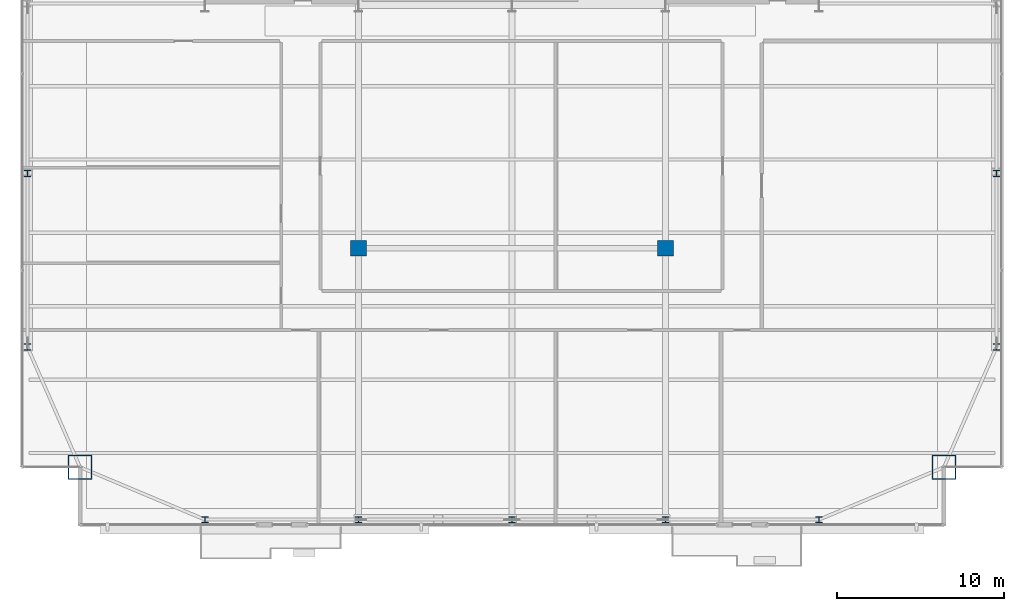
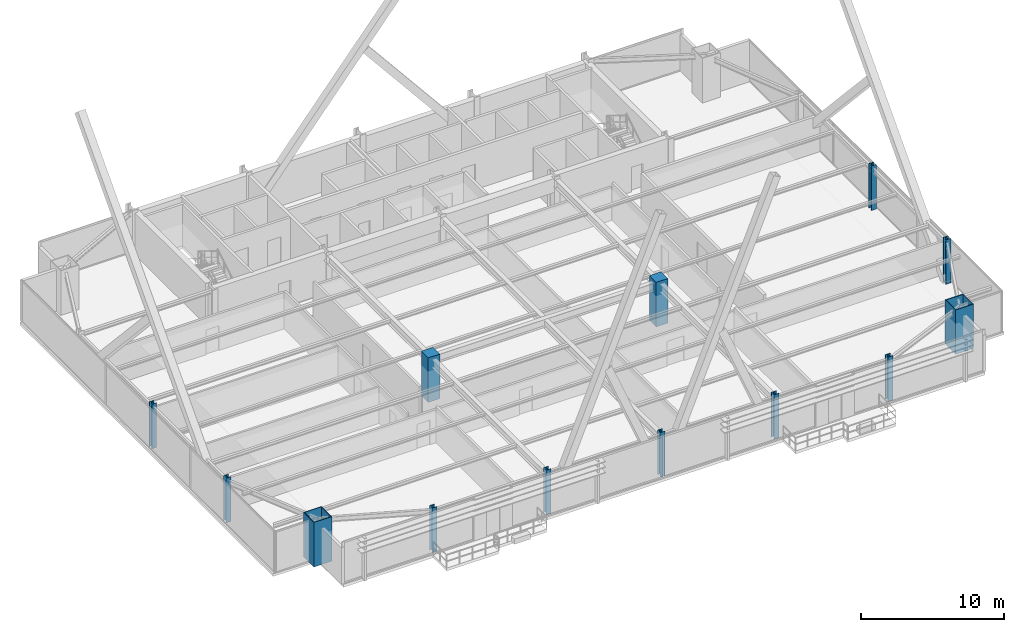
# One storey, part 1 of 38: 13 columns.
"""IFC4 building model written with IfcOpenShell, lengths in metres."""

from ifc_helpers import new_model, si_unit, direction, frame, origin, origin_2d, place, context, subcontext, project, spatial, rectangle, hollow_rectangle, i_section, extrude, source, transform, mapped, material, material_profile, profile_set, type_object, type_shapes, element, save


model = new_model("IFC4")

# Units and contexts
model_context = context("Model", 3, precision=1e-05, world=origin(), true_north=direction((0.0, 1.0)))
body_context = subcontext(model_context, "Body", "Model", "MODEL_VIEW")
ifc_project = project(units=[si_unit("LENGTHUNIT", "METRE"), si_unit("AREAUNIT", "SQUARE_METRE"), si_unit("VOLUMEUNIT", "CUBIC_METRE"), si_unit("PLANEANGLEUNIT", "RADIAN"), si_unit("MASSUNIT", "GRAM", prefix="KILO")], contexts=[model_context])

# Site, building, storey
site_placement = place(None, origin())
site = spatial("IfcSite", under=ifc_project, at=site_placement, CompositionType="ELEMENT")
building_placement = place(site_placement, origin())
building = spatial("IfcBuilding", under=site, at=building_placement, Name="Varnel Quay Broadcast Tower", CompositionType="ELEMENT")
storey_placement = place(building_placement, frame((0.0, 0.0, 118.199951171875)))
storey = spatial("IfcBuildingStorey", under=building, at=storey_placement, Name="L28", CompositionType="ELEMENT", Elevation=118.199951171875)

# Columns
ifc_material_1 = material(Name="Structural Steel CSA G40.21 350WT", Category="steel")
ifc_material_profile_1 = material_profile(ifc_material_1, hollow_rectangle(XDim=1.449951171875, YDim=1.449951171875, WallThickness=0.054931640625, at=origin_2d()), Name="BOX1450X1450X55")
ifc_profile_set_1 = profile_set([ifc_material_profile_1], Name="Structural Steel CSA G40.21 350WT")
column_type_1 = type_object("IfcColumnType", Name="Col_BOX1450X1450X55", PredefinedType="COLUMN", material=ifc_profile_set_1)
shared_shape_1 = source(origin(), body_context, "Body", "SweptSolid", [
    extrude(hollow_rectangle(XDim=1.449951171875, YDim=1.449951171875, WallThickness=0.054931640625, at=origin_2d()), origin(), (0.0, 0.0, 1.0), 3.800048828125),
])
type_shapes(column_type_1, [shared_shape_1])
for number, where, z_axis, x_axis, name in (
    (1, (8.10009765625, 7.800048828125, 0.0), (0.0, 0.0, 1.0), (1.0, 0.0, 0.0), "L28 Column MC-SW"),
    (2, (59.89990234375, 7.800048828125, 0.0), (0.0, 0.0, 1.0), (1.0, 0.0, 0.0), "L28 Column MC-SE"),
):
    element("IfcColumn", number, at=place(storey_placement, frame(where, z_axis=z_axis, x_axis=x_axis)), inside=storey, type_object=column_type_1, Name=name, PredefinedType="COLUMN", context=body_context, shape_type="MappedRepresentation", body=[
        mapped(shared_shape_1, transform((0.0, 0.0, 0.0), x_axis=(1.0, 0.0, 0.0), y_axis=(0.0, 1.0, 0.0), z_axis=(0.0, 0.0, 1.0), scale=1.0)),
    ])
ifc_material_2 = material(Name="Structural Steel CSA G40.21 350W", Category="steel")
ifc_material_profile_2 = material_profile(ifc_material_2, i_section(OverallWidth=0.39794921875, OverallDepth=0.386962890625, WebThickness=0.02099609375, FlangeThickness=0.033203125, FilletRadius=0.01806640625, at=origin_2d()), Name="W360X262")
ifc_profile_set_2 = profile_set([ifc_material_profile_2], Name="Structural Steel CSA G40.21 350W")
column_type_2 = type_object("IfcColumnType", Name="Col_W360X262", PredefinedType="COLUMN", material=ifc_profile_set_2)
shared_shape_2 = source(origin(), body_context, "Body", "SweptSolid", [
    extrude(i_section(OverallWidth=0.39794921875, OverallDepth=0.386962890625, WebThickness=0.02099609375, FlangeThickness=0.033203125, FilletRadius=0.01806640625, at=origin_2d()), origin(), (0.0, 0.0, 1.0), 3.800048828125),
])
type_shapes(column_type_2, [shared_shape_2])
for number, where, z_axis, x_axis, name in (
    (3, (15.60009765625, 4.64990234375, 0.0), (0.0, 0.0, 1.0), (1.0, 0.0, 0.0), "L28 Column TC-S1"),
    (4, (24.800048828125, 4.64990234375, 0.0), (0.0, 0.0, 1.0), (1.0, 0.0, 0.0), "L28 Column TC-S2"),
    (5, (34.0, 4.64990234375, 0.0), (0.0, 0.0, 1.0), (1.0, 0.0, 0.0), "L28 Column TC-S3"),
    (6, (43.199951171875, 4.64990234375, 0.0), (0.0, 0.0, 1.0), (1.0, 0.0, 0.0), "L28 Column TC-S4"),
    (7, (52.39990234375, 4.64990234375, 0.0), (0.0, 0.0, 1.0), (1.0, 0.0, 0.0), "L28 Column TC-S5"),
    (8, (4.949951171875, 15.0, 0.0), (0.0, 0.0, 1.0), (1.0, 0.0, 0.0), "L28 Column TC-W1"),
    (9, (63.050048828125, 15.0, 0.0), (0.0, 0.0, 1.0), (1.0, 0.0, 0.0), "L28 Column TC-E1"),
    (10, (4.949951171875, 25.39990234375, 0.0), (0.0, 0.0, 1.0), (1.0, 0.0, 0.0), "L28 Column TC-W2"),
    (11, (63.050048828125, 25.39990234375, 0.0), (0.0, 0.0, 1.0), (1.0, 0.0, 0.0), "L28 Column TC-E2"),
):
    element("IfcColumn", number, at=place(storey_placement, frame(where, z_axis=z_axis, x_axis=x_axis)), inside=storey, type_object=column_type_2, Name=name, PredefinedType="COLUMN", context=body_context, shape_type="MappedRepresentation", body=[
        mapped(shared_shape_2, transform((0.0, 0.0, 0.0), x_axis=(1.0, 0.0, 0.0), y_axis=(0.0, 1.0, 0.0), z_axis=(0.0, 0.0, 1.0), scale=1.0)),
    ])
ifc_material_3 = material(Name="Concrete CSA A23.3 C50/60", Category="concrete")
ifc_material_profile_3 = material_profile(ifc_material_3, rectangle(XDim=0.949951171875, YDim=0.949951171875, at=origin_2d()), Name="RC950X950")
ifc_profile_set_3 = profile_set([ifc_material_profile_3], Name="Concrete CSA A23.3 C50/60")
column_type_3 = type_object("IfcColumnType", Name="Col_RC950X950", PredefinedType="COLUMN", material=ifc_profile_set_3)
shared_shape_3 = source(origin(), body_context, "Body", "SweptSolid", [
    extrude(rectangle(XDim=0.949951171875, YDim=0.949951171875, at=origin_2d()), origin(), (0.0, 0.0, 1.0), 3.800048828125),
])
type_shapes(column_type_3, [shared_shape_3])
for number, where, z_axis, x_axis, name in (
    (12, (24.800048828125, 20.929931640625, 0.0), (0.0, 0.0, 1.0), (1.0, 0.0, 0.0), "L28 Column IC-01"),
    (13, (43.199951171875, 20.929931640625, 0.0), (0.0, 0.0, 1.0), (1.0, 0.0, 0.0), "L28 Column IC-02"),
):
    element("IfcColumn", number, at=place(storey_placement, frame(where, z_axis=z_axis, x_axis=x_axis)), inside=storey, type_object=column_type_3, Name=name, PredefinedType="COLUMN", context=body_context, shape_type="MappedRepresentation", body=[
        mapped(shared_shape_3, transform((0.0, 0.0, 0.0), x_axis=(1.0, 0.0, 0.0), y_axis=(0.0, 1.0, 0.0), z_axis=(0.0, 0.0, 1.0), scale=1.0)),
    ])

save(model, "model.ifc")
